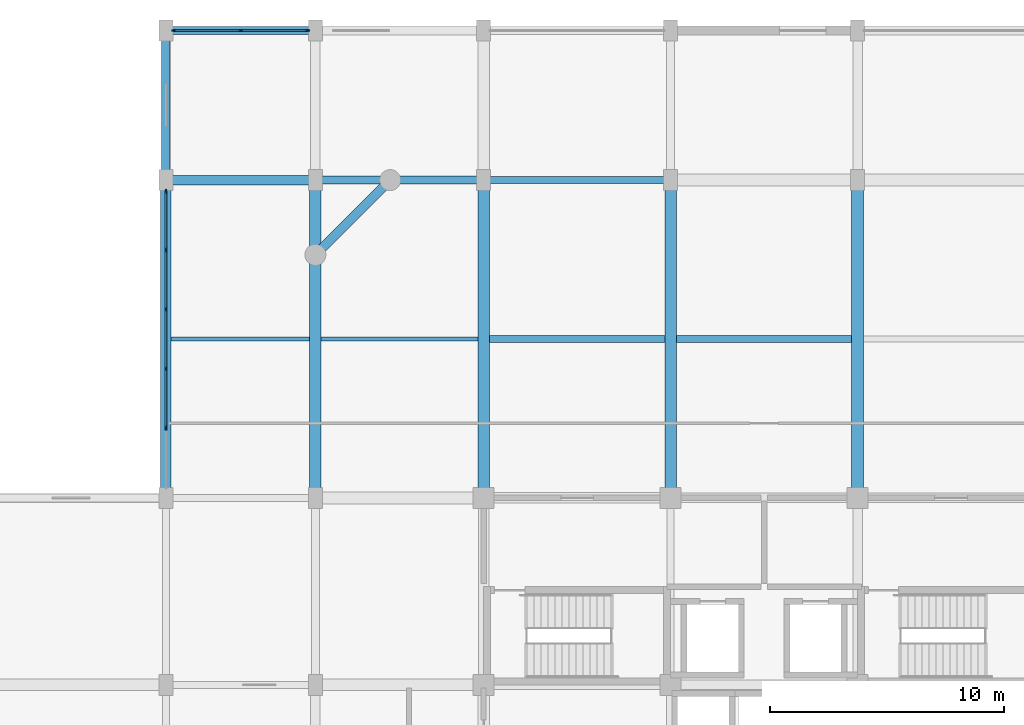
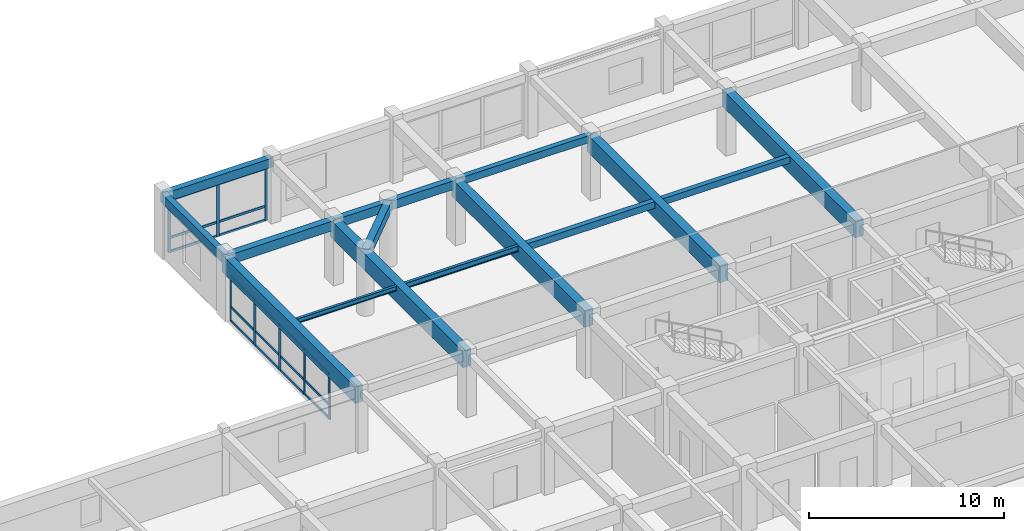
# One storey, part 14 of 35: 26 members, 15 beams, 2 elements without a shape of their own.
"""IFC4 building model written with IfcOpenShell, lengths in metres."""

import ifcopenshell
import ifcopenshell.guid

model = None  # the IFC model being written
_history = None  # IfcOwnerHistory: only IFC2X3 demands one
_inside = {}  # id of a spatial element -> (the spatial element, [elements in it])
_under = {}  # id of a project, library or spatial element -> (it, [spatial elements below it])
_declared = {}  # id of a project -> (the project, [libraries it declares])
_typed = {}  # id of a type object -> (the type object, [elements of that type])
_made_of = {}  # id of a material, layer set ... -> (it, [elements and type objects made of it])


def new_model(schema):
    """Start an empty IFC model of exactly this schema.

    Asked for "IFC4X3", IfcOpenShell would pick the latest addendum, in which some entities
    have other attributes; the version numbers below select the first issue.
    IFC2X3 requires an IfcOwnerHistory on every rooted entity: one is made here for all.
    """
    global model, _history
    if schema == "IFC4X3":
        model = ifcopenshell.file(schema_version=(4, 3, 0, 0))
    else:
        model = ifcopenshell.file(schema=schema)
    _inside.clear()
    _under.clear()
    _declared.clear()
    _typed.clear()
    _made_of.clear()
    _history = None
    if model.schema == "IFC2X3":
        org = make("IfcOrganization", Name="unknown")
        user = make(
            "IfcPersonAndOrganization",
            ThePerson=make("IfcPerson", FamilyName="unknown"),
            TheOrganization=org,
        )
        app = make(
            "IfcApplication",
            ApplicationDeveloper=org,
            Version="unknown",
            ApplicationFullName="unknown",
            ApplicationIdentifier="unknown",
        )
        _history = make(
            "IfcOwnerHistory",
            OwningUser=user,
            OwningApplication=app,
            ChangeAction="ADDED",
            CreationDate=0,
        )
    return model


def make(cls, **values):
    """One entity of the class cls with the attributes given. An attribute that is None is left unset."""
    return model.create_entity(
        cls, **{name: value for name, value in values.items() if value is not None}
    )


def rooted(cls, **values):
    """An entity with a GlobalId (a new one), such as an element, a storey or a relation."""
    return make(cls, GlobalId=ifcopenshell.guid.new(), OwnerHistory=_history, **values)


def si_unit(unit_type, name, prefix=None):
    """IfcSIUnit, for example si_unit("LENGTHUNIT", "METRE", prefix="MILLI")."""
    return make("IfcSIUnit", UnitType=unit_type, Prefix=prefix, Name=name)


def assignment(units):
    """IfcUnitAssignment: the units of a project."""
    return None if units is None else make("IfcUnitAssignment", Units=units)


def point(xyz):
    """IfcCartesianPoint."""
    return None if xyz is None else make("IfcCartesianPoint", Coordinates=xyz)


def direction(xyz):
    """IfcDirection."""
    return None if xyz is None else make("IfcDirection", DirectionRatios=xyz)


def frame(location, z_axis=None, x_axis=None):
    """IfcAxis2Placement3D, a coordinate frame: its origin and axes. An axis left out is left unset."""
    return make(
        "IfcAxis2Placement3D",
        Location=point(location),
        Axis=direction(z_axis),
        RefDirection=direction(x_axis),
    )


def frame_2d(location, x_axis=None):
    """IfcAxis2Placement2D, a coordinate frame in the plane: its origin and x axis."""
    return make(
        "IfcAxis2Placement2D", Location=point(location), RefDirection=direction(x_axis)
    )


def origin():
    """The frame at (0, 0, 0) with its axes left unset."""
    return frame((0.0, 0.0, 0.0))


def origin_2d():
    """The frame at (0, 0) in the plane with its x axis left unset."""
    return frame_2d((0.0, 0.0))


def place(relative_to, where):
    """IfcLocalPlacement: puts the frame where relative to a parent placement (None: the world)."""
    return make(
        "IfcLocalPlacement", PlacementRelTo=relative_to, RelativePlacement=where
    )


def context(
    kind, dimensions, precision=None, world=None, true_north=None, identifier=None
):
    """IfcGeometricRepresentationContext, for example the 3D "Model" context."""
    return make(
        "IfcGeometricRepresentationContext",
        ContextIdentifier=identifier,
        ContextType=kind,
        CoordinateSpaceDimension=dimensions,
        Precision=precision,
        WorldCoordinateSystem=world,
        TrueNorth=true_north,
    )


def subcontext(parent, identifier, kind, view, scale=None):
    """IfcGeometricRepresentationSubContext, for example "Body" below "Model"."""
    return make(
        "IfcGeometricRepresentationSubContext",
        ContextIdentifier=identifier,
        ContextType=kind,
        ParentContext=parent,
        TargetScale=scale,
        TargetView=view,
    )


def project(units=None, contexts=None):
    """IfcProject with its units and contexts."""
    return rooted(
        "IfcProject",
        Name="project",
        RepresentationContexts=contexts,
        UnitsInContext=assignment(units),
    )


def spatial(cls, under=None, at=None, **own):
    """A site, building, storey or space (cls), placed at a placement, below another one or the project."""
    s = rooted(cls, ObjectPlacement=at, **own)
    if under is not None:
        _under.setdefault(under.id(), (under, []))[1].append(s)
    return s


def profile(cls, at=None, kind="AREA", **sizes):
    """A parametric profile (cls). Its sizes go by their IFC names, for example OverallWidth=200.0."""
    return make(cls, ProfileType=kind, Position=at, **sizes)


def rectangle(**sizes):
    """IfcRectangleProfileDef."""
    return profile("IfcRectangleProfileDef", **sizes)


def i_section(**sizes):
    """IfcIShapeProfileDef."""
    return profile("IfcIShapeProfileDef", **sizes)


def extrude(swept, where, along, depth):
    """IfcExtrudedAreaSolid: the profile swept, set in the frame where, extruded along a direction by depth."""
    return make(
        "IfcExtrudedAreaSolid",
        SweptArea=swept,
        Position=where,
        ExtrudedDirection=direction(along),
        Depth=depth,
    )


def shape(context_of_items, identifier, shape_type, items):
    """IfcShapeRepresentation: the items that make up one representation, for example the "Body"."""
    return make(
        "IfcShapeRepresentation",
        ContextOfItems=context_of_items,
        RepresentationIdentifier=identifier,
        RepresentationType=shape_type,
        Items=items,
    )


def material(Name=None, Category=None):
    """IfcMaterial."""
    return make("IfcMaterial", Name=Name, Category=Category)


def material_profile(
    of_material, cross_section, Name=None, Category=None, Priority=None
):
    """IfcMaterialProfile: a cross section and its material."""
    return make(
        "IfcMaterialProfile",
        Name=Name,
        Material=of_material,
        Profile=cross_section,
        Priority=Priority,
        Category=Category,
    )


def profile_set(profiles, Name=None, composite=None):
    """IfcMaterialProfileSet."""
    return make(
        "IfcMaterialProfileSet",
        Name=Name,
        MaterialProfiles=profiles,
        CompositeProfile=composite,
    )


def made_of(thing, what):
    """Note that an element or type object is made of a material, layer set ...; save() writes the relation."""
    if what is not None:
        _made_of.setdefault(what.id(), (what, []))[1].append(thing)
    return thing


def type_object(cls, material=None, **own):
    """A type object (cls), such as IfcWallType, which elements share."""
    return made_of(rooted(cls, **own), material)


def element(
    cls,
    number,
    at=None,
    inside=None,
    cuts=None,
    type_object=None,
    material=None,
    context=None,
    identifier="Body",
    shape_type=None,
    held_by="IfcProductDefinitionShape",
    body=None,
    shapes=None,
    **own,
):
    """One element of the class cls, such as IfcWall. Its Tag is "e" and its number.

    at: its placement. inside: the storey or other place that contains it. cuts: it is an
    opening in that element (IfcRelVoidsElement). A single representation is given by context,
    identifier, shape_type and body (its items); several are given by shapes. held_by: the class
    of the entity that holds the representations. save() writes the other relations.
    """
    e = rooted(cls, Tag="e%d" % number, ObjectPlacement=at, **own)
    if body is not None:
        shapes = [shape(context, identifier, shape_type, body)]
    if shapes is not None:
        e.Representation = make(held_by, Representations=shapes)
    if inside is not None:
        _inside.setdefault(inside.id(), (inside, []))[1].append(e)
    if cuts is not None:
        rooted(
            "IfcRelVoidsElement", RelatingBuildingElement=cuts, RelatedOpeningElement=e
        )
    if type_object is not None:
        _typed.setdefault(type_object.id(), (type_object, []))[1].append(e)
    return made_of(e, material)


def aggregate(whole, parts):
    """IfcRelAggregates: a whole, such as a stair, and the parts it consists of."""
    return rooted("IfcRelAggregates", RelatingObject=whole, RelatedObjects=parts)


def save(model, path):
    """Write the relations noted so far, then the file.

    IfcRelAggregates (storeys below a building ...), IfcRelContainedInSpatialStructure (elements
    in a storey), IfcRelDefinesByType, IfcRelAssociatesMaterial and IfcRelDeclares: one each for
    every whole, place, type object, material and project.
    """
    for whole, parts in _under.values():
        aggregate(whole, parts)
    for where, things in _inside.values():
        rooted(
            "IfcRelContainedInSpatialStructure",
            RelatedElements=things,
            RelatingStructure=where,
        )
    for kind, things in _typed.values():
        rooted("IfcRelDefinesByType", RelatedObjects=things, RelatingType=kind)
    for what, things in _made_of.values():
        rooted("IfcRelAssociatesMaterial", RelatedObjects=things, RelatingMaterial=what)
    for by, libraries in _declared.values():
        rooted("IfcRelDeclares", RelatingContext=by, RelatedDefinitions=libraries)
    model.write(path)


model = new_model("IFC4")

# Units and contexts
model_context = context("Model", 3, precision=1e-05, world=origin(), true_north=direction((0.0, 1.0)))
body_context = subcontext(model_context, "Body", "Model", "MODEL_VIEW")
ifc_project = project(units=[si_unit("LENGTHUNIT", "METRE"), si_unit("AREAUNIT", "SQUARE_METRE"), si_unit("VOLUMEUNIT", "CUBIC_METRE"), si_unit("PLANEANGLEUNIT", "RADIAN"), si_unit("MASSUNIT", "GRAM", prefix="KILO")], contexts=[model_context])

# Site, building, storey
site_placement = place(None, origin())
site = spatial("IfcSite", under=ifc_project, at=site_placement, CompositionType="ELEMENT")
building_placement = place(site_placement, origin())
building = spatial("IfcBuilding", under=site, at=building_placement, Name="Vellmiral Cinema and Media Centre", CompositionType="ELEMENT")
storey_placement = place(building_placement, frame((0.0, 0.0, 15.60009765625)))
storey = spatial("IfcBuildingStorey", under=building, at=storey_placement, Name="L03", CompositionType="ELEMENT", Elevation=15.60009765625)

# Beams
ifc_material_1 = material(Name="Concrete C40/50", Category="concrete")
ifc_material_profile_1 = material_profile(ifc_material_1, rectangle(XDim=0.300048828125, YDim=0.449951171875, at=origin_2d()), Name="RC 300x450")
ifc_profile_set_1 = profile_set([ifc_material_profile_1], Name="Concrete C40/50")
beam_type_1 = type_object("IfcBeamType", Name="BM-RC-300x450", PredefinedType="BEAM", material=ifc_profile_set_1)
beam_1_placement = place(storey_placement, frame((124.0, 108.800048828125, 3.669921875), z_axis=(1.0, 0.0, 0.0), x_axis=(0.0, 1.0, 0.0)))
element("IfcBeam", 1, at=beam_1_placement, inside=storey, type_object=beam_type_1, Name="Grid Beam L03-X068", PredefinedType="BEAM", context=body_context, shape_type="SweptSolid", body=[
    extrude(rectangle(XDim=0.300048828125, YDim=0.449951171875, at=origin_2d()), origin(), (0.0, 0.0, 1.0), 8.0),
])
ifc_material_2 = material(Name="Concrete C40/50", Category="concrete")
ifc_material_profile_2 = material_profile(ifc_material_2, rectangle(XDim=0.35009765625, YDim=0.550048828125, at=origin_2d()), Name="RC 350x550")
ifc_profile_set_2 = profile_set([ifc_material_profile_2], Name="Concrete C40/50")
beam_type_2 = type_object("IfcBeamType", Name="BM-RC-350x550", PredefinedType="BEAM", material=ifc_profile_set_2)
beam_2_placement = place(storey_placement, frame((116.800048828125, 108.800048828125, 3.619873046875), z_axis=(1.0, 0.0, 0.0), x_axis=(0.0, 1.0, 0.0)))
element("IfcBeam", 2, at=beam_2_placement, inside=storey, type_object=beam_type_2, Name="Grid Beam L03-X067", PredefinedType="BEAM", context=body_context, shape_type="SweptSolid", body=[
    extrude(rectangle(XDim=0.35009765625, YDim=0.550048828125, at=origin_2d()), origin(), (0.0, 0.0, 1.0), 7.199951171875),
])
ifc_material_3 = material(Name="Concrete C40/50", Category="concrete")
ifc_material_profile_3 = material_profile(ifc_material_3, rectangle(XDim=0.39990234375, YDim=0.60009765625, at=origin_2d()), Name="RC 400x600")
ifc_profile_set_3 = profile_set([ifc_material_profile_3], Name="Concrete C40/50")
beam_type_3 = type_object("IfcBeamType", Name="BM-RC-400x600", PredefinedType="BEAM", material=ifc_profile_set_3)
beam_3_placement = place(storey_placement, frame((110.39990234375, 108.800048828125, 3.594970703125), z_axis=(1.0, 0.0, 0.0), x_axis=(0.0, 1.0, 0.0)))
element("IfcBeam", 3, at=beam_3_placement, inside=storey, type_object=beam_type_3, Name="Grid Beam L03-X066", PredefinedType="BEAM", context=body_context, shape_type="SweptSolid", body=[
    extrude(rectangle(XDim=0.39990234375, YDim=0.60009765625, at=origin_2d()), origin(), (0.0, 0.0, 1.0), 6.400146484375),
])
ifc_material_4 = material(Name="Concrete C40/50", Category="concrete")
ifc_material_profile_4 = material_profile(ifc_material_4, rectangle(XDim=0.5, YDim=1.050048828125, at=origin_2d()), Name="RC 500x1050")
ifc_profile_set_4 = profile_set([ifc_material_profile_4], Name="Concrete C40/50")
beam_type_4 = type_object("IfcBeamType", Name="BM-RCG-500x1050", PredefinedType="BEAM", material=ifc_profile_set_4)
for number, where, z_axis, x_axis, name in (
    (4, (116.800048828125, 95.199951171875, 3.369873046875), (0.0, 1.0, 0.0), (-1.0, 0.0, 0.0), "Grid Beam L03-Y109"),
    (5, (124.0, 95.199951171875, 3.369873046875), (0.0, 1.0, 0.0), (-1.0, 0.0, 0.0), "Grid Beam L03-Y116"),
    (6, (132.0, 95.199951171875, 3.369873046875), (0.0, 1.0, 0.0), (-1.0, 0.0, 0.0), "Grid Beam L03-Y123"),
    (7, (140.0, 95.199951171875, 3.369873046875), (0.0, 1.0, 0.0), (-1.0, 0.0, 0.0), "Grid Beam L03-Y130"),
):
    element("IfcBeam", number, at=place(storey_placement, frame(where, z_axis=z_axis, x_axis=x_axis)), inside=storey, type_object=beam_type_4, Name=name, PredefinedType="BEAM", context=body_context, shape_type="SweptSolid", body=[
        extrude(rectangle(XDim=0.5, YDim=1.050048828125, at=origin_2d()), origin(), (0.0, 0.0, 1.0), 13.60009765625),
    ])

# Curtain wall, members
ifc_material_5 = material(Name="Thermally Broken Aluminium and Triple Glazing", Category="aluminium")
curtain_wall_type = type_object("IfcCurtainWallType", Name="CW-LIB-BAY", PredefinedType="USERDEFINED", material=ifc_material_5)
curtain_wall_1_placement = place(storey_placement, origin())
curtain_wall_1 = element("IfcCurtainWall", 8, at=curtain_wall_1_placement, inside=storey, type_object=curtain_wall_type, Name="Curtain Wall L03-B034", ObjectType="STICK CURTAIN WALL", PredefinedType="USERDEFINED")
ifc_material_6 = material(Name="Thermally Broken Anodised Aluminium", Category="aluminium")
ifc_material_profile_5 = material_profile(ifc_material_6, rectangle(XDim=0.070068359375, YDim=0.179931640625, at=origin_2d()), Name="MULL 70x180")
ifc_profile_set_5 = profile_set([ifc_material_profile_5], Name="Thermally Broken Anodised Aluminium")
member_type_1 = type_object("IfcMemberType", Name="CWM-70x180", PredefinedType="MULLION", material=ifc_profile_set_5)
member_1_placement = place(storey_placement, frame((116.465087890625, 115.199951171875, 0.0), z_axis=(0.0, 0.0, 1.0), x_axis=(0.0, -1.0, 0.0)))
member_1 = element("IfcMember", 9, at=member_1_placement, type_object=member_type_1, Name="CW-03 mullion 1", PredefinedType="MULLION", context=body_context, shape_type="SweptSolid", body=[
    extrude(rectangle(XDim=0.070068359375, YDim=0.179931640625, at=origin_2d()), origin(), (0.0, 0.0, 1.0), 3.2998046875),
])
member_2_placement = place(storey_placement, frame((113.60009765625, 115.199951171875, 0.0), z_axis=(0.0, 0.0, 1.0), x_axis=(0.0, -1.0, 0.0)))
member_2 = element("IfcMember", 10, at=member_2_placement, type_object=member_type_1, Name="CW-03 mullion 2", PredefinedType="MULLION", context=body_context, shape_type="SweptSolid", body=[
    extrude(rectangle(XDim=0.070068359375, YDim=0.179931640625, at=origin_2d()), origin(), (0.0, 0.0, 1.0), 3.2998046875),
])
member_3_placement = place(storey_placement, frame((110.735107421875, 115.199951171875, 0.0), z_axis=(0.0, 0.0, 1.0), x_axis=(0.0, -1.0, 0.0)))
member_3 = element("IfcMember", 11, at=member_3_placement, type_object=member_type_1, Name="CW-03 mullion 3", PredefinedType="MULLION", context=body_context, shape_type="SweptSolid", body=[
    extrude(rectangle(XDim=0.070068359375, YDim=0.179931640625, at=origin_2d()), origin(), (0.0, 0.0, 1.0), 3.2998046875),
])

curtain_wall_2_placement = place(storey_placement, origin())
curtain_wall_2 = element("IfcCurtainWall", 12, at=curtain_wall_2_placement, inside=storey, type_object=curtain_wall_type, Name="Curtain Wall L03-B036", ObjectType="STICK CURTAIN WALL", PredefinedType="USERDEFINED")
member_4_placement = place(storey_placement, frame((110.39990234375, 108.31494140625, 0.0), z_axis=(0.0, 0.0, 1.0), x_axis=(1.0, 0.0, 0.0)))
member_4 = element("IfcMember", 13, at=member_4_placement, type_object=member_type_1, Name="CW-03 mullion 1", PredefinedType="MULLION", context=body_context, shape_type="SweptSolid", body=[
    extrude(rectangle(XDim=0.070068359375, YDim=0.179931640625, at=origin_2d()), origin(), (0.0, 0.0, 1.0), 2.8349609375),
])
member_5_placement = place(storey_placement, frame((110.39990234375, 105.81005859375, 0.0), z_axis=(0.0, 0.0, 1.0), x_axis=(1.0, 0.0, 0.0)))
member_5 = element("IfcMember", 14, at=member_5_placement, type_object=member_type_1, Name="CW-03 mullion 2", PredefinedType="MULLION", context=body_context, shape_type="SweptSolid", body=[
    extrude(rectangle(XDim=0.070068359375, YDim=0.179931640625, at=origin_2d()), origin(), (0.0, 0.0, 1.0), 2.8349609375),
])
member_6_placement = place(storey_placement, frame((110.39990234375, 103.27001953125, 0.0), z_axis=(0.0, 0.0, 1.0), x_axis=(1.0, 0.0, 0.0)))
member_6 = element("IfcMember", 15, at=member_6_placement, type_object=member_type_1, Name="CW-03 mullion 3", PredefinedType="MULLION", context=body_context, shape_type="SweptSolid", body=[
    extrude(rectangle(XDim=0.070068359375, YDim=0.179931640625, at=origin_2d()), origin(), (0.0, 0.0, 1.0), 2.8349609375),
])
member_7_placement = place(storey_placement, frame((110.39990234375, 100.72998046875, 0.0), z_axis=(0.0, 0.0, 1.0), x_axis=(1.0, 0.0, 0.0)))
member_7 = element("IfcMember", 16, at=member_7_placement, type_object=member_type_1, Name="CW-03 mullion 4", PredefinedType="MULLION", context=body_context, shape_type="SweptSolid", body=[
    extrude(rectangle(XDim=0.070068359375, YDim=0.179931640625, at=origin_2d()), origin(), (0.0, 0.0, 1.0), 2.8349609375),
])
member_8_placement = place(storey_placement, frame((110.39990234375, 98.18994140625, 0.0), z_axis=(0.0, 0.0, 1.0), x_axis=(1.0, 0.0, 0.0)))
member_8 = element("IfcMember", 17, at=member_8_placement, type_object=member_type_1, Name="CW-03 mullion 5", PredefinedType="MULLION", context=body_context, shape_type="SweptSolid", body=[
    extrude(rectangle(XDim=0.070068359375, YDim=0.179931640625, at=origin_2d()), origin(), (0.0, 0.0, 1.0), 2.8349609375),
])

# Member
ifc_material_7 = material(Name="Thermally Broken Anodised Aluminium", Category="aluminium")
ifc_material_profile_6 = material_profile(ifc_material_7, rectangle(XDim=0.070068359375, YDim=0.14990234375, at=origin_2d()), Name="MULL 70x150")
ifc_profile_set_6 = profile_set([ifc_material_profile_6], Name="Thermally Broken Anodised Aluminium")
member_type_2 = type_object("IfcMemberType", Name="CWT-70x150", PredefinedType="USERDEFINED", material=ifc_profile_set_6)
member_9_placement = place(storey_placement, frame((116.429931640625, 115.199951171875, 0.034912109375), z_axis=(-1.0, 0.0, 0.0), x_axis=(0.0, -1.0, 0.0)))
member_9 = element("IfcMember", 18, at=member_9_placement, type_object=member_type_2, Name="CW-03 transom 1.1", ObjectType="TRANSOM", PredefinedType="USERDEFINED", context=body_context, shape_type="SweptSolid", body=[
    extrude(rectangle(XDim=0.070068359375, YDim=0.14990234375, at=origin_2d()), origin(), (0.0, 0.0, 1.0), 2.794921875),
])

member_10_placement = place(storey_placement, frame((116.429931640625, 115.199951171875, 0.89990234375), z_axis=(-1.0, 0.0, 0.0), x_axis=(0.0, -1.0, 0.0)))
member_10 = element("IfcMember", 19, at=member_10_placement, type_object=member_type_2, Name="CW-03 transom 1.2", ObjectType="TRANSOM", PredefinedType="USERDEFINED", context=body_context, shape_type="SweptSolid", body=[
    extrude(rectangle(XDim=0.070068359375, YDim=0.14990234375, at=origin_2d()), origin(), (0.0, 0.0, 1.0), 2.794921875),
])

member_11_placement = place(storey_placement, frame((116.429931640625, 115.199951171875, 3.264892578125), z_axis=(-1.0, 0.0, 0.0), x_axis=(0.0, -1.0, 0.0)))
member_11 = element("IfcMember", 20, at=member_11_placement, type_object=member_type_2, Name="CW-03 transom 1.3", ObjectType="TRANSOM", PredefinedType="USERDEFINED", context=body_context, shape_type="SweptSolid", body=[
    extrude(rectangle(XDim=0.070068359375, YDim=0.14990234375, at=origin_2d()), origin(), (0.0, 0.0, 1.0), 2.794921875),
])

member_12_placement = place(storey_placement, frame((113.56494140625, 115.199951171875, 0.034912109375), z_axis=(-1.0, 0.0, 0.0), x_axis=(0.0, -1.0, 0.0)))
member_12 = element("IfcMember", 21, at=member_12_placement, type_object=member_type_2, Name="CW-03 transom 2.1", ObjectType="TRANSOM", PredefinedType="USERDEFINED", context=body_context, shape_type="SweptSolid", body=[
    extrude(rectangle(XDim=0.070068359375, YDim=0.14990234375, at=origin_2d()), origin(), (0.0, 0.0, 1.0), 2.794921875),
])

member_13_placement = place(storey_placement, frame((113.56494140625, 115.199951171875, 0.89990234375), z_axis=(-1.0, 0.0, 0.0), x_axis=(0.0, -1.0, 0.0)))
member_13 = element("IfcMember", 22, at=member_13_placement, type_object=member_type_2, Name="CW-03 transom 2.2", ObjectType="TRANSOM", PredefinedType="USERDEFINED", context=body_context, shape_type="SweptSolid", body=[
    extrude(rectangle(XDim=0.070068359375, YDim=0.14990234375, at=origin_2d()), origin(), (0.0, 0.0, 1.0), 2.794921875),
])

member_14_placement = place(storey_placement, frame((113.56494140625, 115.199951171875, 3.264892578125), z_axis=(-1.0, 0.0, 0.0), x_axis=(0.0, -1.0, 0.0)))
member_14 = element("IfcMember", 23, at=member_14_placement, type_object=member_type_2, Name="CW-03 transom 2.3", ObjectType="TRANSOM", PredefinedType="USERDEFINED", context=body_context, shape_type="SweptSolid", body=[
    extrude(rectangle(XDim=0.070068359375, YDim=0.14990234375, at=origin_2d()), origin(), (0.0, 0.0, 1.0), 2.794921875),
])

aggregate(curtain_wall_1, [member_1, member_2, member_3, member_9, member_10, member_11, member_12, member_13, member_14])

member_15_placement = place(storey_placement, frame((110.39990234375, 108.280029296875, 0.034912109375), z_axis=(0.0, -1.0, 0.0), x_axis=(1.0, 0.0, 0.0)))
member_15 = element("IfcMember", 24, at=member_15_placement, type_object=member_type_2, Name="CW-03 transom 1.1", ObjectType="TRANSOM", PredefinedType="USERDEFINED", context=body_context, shape_type="SweptSolid", body=[
    extrude(rectangle(XDim=0.070068359375, YDim=0.14990234375, at=origin_2d()), origin(), (0.0, 0.0, 1.0), 2.43505859375),
])

member_16_placement = place(storey_placement, frame((110.39990234375, 108.280029296875, 0.89990234375), z_axis=(0.0, -1.0, 0.0), x_axis=(1.0, 0.0, 0.0)))
member_16 = element("IfcMember", 25, at=member_16_placement, type_object=member_type_2, Name="CW-03 transom 1.2", ObjectType="TRANSOM", PredefinedType="USERDEFINED", context=body_context, shape_type="SweptSolid", body=[
    extrude(rectangle(XDim=0.070068359375, YDim=0.14990234375, at=origin_2d()), origin(), (0.0, 0.0, 1.0), 2.43505859375),
])

member_17_placement = place(storey_placement, frame((110.39990234375, 108.280029296875, 2.7998046875), z_axis=(0.0, -1.0, 0.0), x_axis=(1.0, 0.0, 0.0)))
member_17 = element("IfcMember", 26, at=member_17_placement, type_object=member_type_2, Name="CW-03 transom 1.3", ObjectType="TRANSOM", PredefinedType="USERDEFINED", context=body_context, shape_type="SweptSolid", body=[
    extrude(rectangle(XDim=0.070068359375, YDim=0.14990234375, at=origin_2d()), origin(), (0.0, 0.0, 1.0), 2.43505859375),
])

member_18_placement = place(storey_placement, frame((110.39990234375, 105.77490234375, 0.034912109375), z_axis=(0.0, -1.0, 0.0), x_axis=(1.0, 0.0, 0.0)))
member_18 = element("IfcMember", 27, at=member_18_placement, type_object=member_type_2, Name="CW-03 transom 2.1", ObjectType="TRANSOM", PredefinedType="USERDEFINED", context=body_context, shape_type="SweptSolid", body=[
    extrude(rectangle(XDim=0.070068359375, YDim=0.14990234375, at=origin_2d()), origin(), (0.0, 0.0, 1.0), 2.469970703125),
])

member_19_placement = place(storey_placement, frame((110.39990234375, 105.77490234375, 0.89990234375), z_axis=(0.0, -1.0, 0.0), x_axis=(1.0, 0.0, 0.0)))
member_19 = element("IfcMember", 28, at=member_19_placement, type_object=member_type_2, Name="CW-03 transom 2.2", ObjectType="TRANSOM", PredefinedType="USERDEFINED", context=body_context, shape_type="SweptSolid", body=[
    extrude(rectangle(XDim=0.070068359375, YDim=0.14990234375, at=origin_2d()), origin(), (0.0, 0.0, 1.0), 2.469970703125),
])

member_20_placement = place(storey_placement, frame((110.39990234375, 105.77490234375, 2.7998046875), z_axis=(0.0, -1.0, 0.0), x_axis=(1.0, 0.0, 0.0)))
member_20 = element("IfcMember", 29, at=member_20_placement, type_object=member_type_2, Name="CW-03 transom 2.3", ObjectType="TRANSOM", PredefinedType="USERDEFINED", context=body_context, shape_type="SweptSolid", body=[
    extrude(rectangle(XDim=0.070068359375, YDim=0.14990234375, at=origin_2d()), origin(), (0.0, 0.0, 1.0), 2.469970703125),
])

member_21_placement = place(storey_placement, frame((110.39990234375, 103.235107421875, 0.034912109375), z_axis=(0.0, -1.0, 0.0), x_axis=(1.0, 0.0, 0.0)))
member_21 = element("IfcMember", 30, at=member_21_placement, type_object=member_type_2, Name="CW-03 transom 3.1", ObjectType="TRANSOM", PredefinedType="USERDEFINED", context=body_context, shape_type="SweptSolid", body=[
    extrude(rectangle(XDim=0.070068359375, YDim=0.14990234375, at=origin_2d()), origin(), (0.0, 0.0, 1.0), 2.47021484375),
])

member_22_placement = place(storey_placement, frame((110.39990234375, 103.235107421875, 0.89990234375), z_axis=(0.0, -1.0, 0.0), x_axis=(1.0, 0.0, 0.0)))
member_22 = element("IfcMember", 31, at=member_22_placement, type_object=member_type_2, Name="CW-03 transom 3.2", ObjectType="TRANSOM", PredefinedType="USERDEFINED", context=body_context, shape_type="SweptSolid", body=[
    extrude(rectangle(XDim=0.070068359375, YDim=0.14990234375, at=origin_2d()), origin(), (0.0, 0.0, 1.0), 2.47021484375),
])

member_23_placement = place(storey_placement, frame((110.39990234375, 103.235107421875, 2.7998046875), z_axis=(0.0, -1.0, 0.0), x_axis=(1.0, 0.0, 0.0)))
member_23 = element("IfcMember", 32, at=member_23_placement, type_object=member_type_2, Name="CW-03 transom 3.3", ObjectType="TRANSOM", PredefinedType="USERDEFINED", context=body_context, shape_type="SweptSolid", body=[
    extrude(rectangle(XDim=0.070068359375, YDim=0.14990234375, at=origin_2d()), origin(), (0.0, 0.0, 1.0), 2.47021484375),
])

member_24_placement = place(storey_placement, frame((110.39990234375, 100.695068359375, 0.034912109375), z_axis=(0.0, -1.0, 0.0), x_axis=(1.0, 0.0, 0.0)))
member_24 = element("IfcMember", 33, at=member_24_placement, type_object=member_type_2, Name="CW-03 transom 4.1", ObjectType="TRANSOM", PredefinedType="USERDEFINED", context=body_context, shape_type="SweptSolid", body=[
    extrude(rectangle(XDim=0.070068359375, YDim=0.14990234375, at=origin_2d()), origin(), (0.0, 0.0, 1.0), 2.469970703125),
])

member_25_placement = place(storey_placement, frame((110.39990234375, 100.695068359375, 0.89990234375), z_axis=(0.0, -1.0, 0.0), x_axis=(1.0, 0.0, 0.0)))
member_25 = element("IfcMember", 34, at=member_25_placement, type_object=member_type_2, Name="CW-03 transom 4.2", ObjectType="TRANSOM", PredefinedType="USERDEFINED", context=body_context, shape_type="SweptSolid", body=[
    extrude(rectangle(XDim=0.070068359375, YDim=0.14990234375, at=origin_2d()), origin(), (0.0, 0.0, 1.0), 2.469970703125),
])

member_26_placement = place(storey_placement, frame((110.39990234375, 100.695068359375, 2.7998046875), z_axis=(0.0, -1.0, 0.0), x_axis=(1.0, 0.0, 0.0)))
member_26 = element("IfcMember", 35, at=member_26_placement, type_object=member_type_2, Name="CW-03 transom 4.3", ObjectType="TRANSOM", PredefinedType="USERDEFINED", context=body_context, shape_type="SweptSolid", body=[
    extrude(rectangle(XDim=0.070068359375, YDim=0.14990234375, at=origin_2d()), origin(), (0.0, 0.0, 1.0), 2.469970703125),
])

aggregate(curtain_wall_2, [member_4, member_5, member_6, member_7, member_8, member_15, member_16, member_17, member_18, member_19, member_20, member_21, member_22, member_23, member_24, member_25, member_26])

# Beams
ifc_material_8 = material(Name="Concrete C40/50", Category="concrete")
ifc_material_profile_7 = material_profile(ifc_material_8, rectangle(XDim=0.280029296875, YDim=0.39990234375, at=origin_2d()), Name="RC 280x400")
ifc_profile_set_7 = profile_set([ifc_material_profile_7], Name="Concrete C40/50")
beam_type_5 = type_object("IfcBeamType", Name="JST-RC-280x400", PredefinedType="JOIST", material=ifc_profile_set_7)
beam_4_placement = place(storey_placement, frame((132.25, 102.0, 3.69482421875), z_axis=(1.0, 0.0, 0.0), x_axis=(0.0, 1.0, 0.0)))
element("IfcBeam", 36, at=beam_4_placement, inside=storey, type_object=beam_type_5, Name="Secondary Floor Joist L03-010", PredefinedType="JOIST", context=body_context, shape_type="SweptSolid", body=[
    extrude(rectangle(XDim=0.280029296875, YDim=0.39990234375, at=origin_2d()), origin(), (0.0, 0.0, 1.0), 7.5),
])
ifc_material_9 = material(Name="Concrete C40/50", Category="concrete")
ifc_material_profile_8 = material_profile(ifc_material_9, rectangle(XDim=0.300048828125, YDim=0.419921875, at=origin_2d()), Name="RC 300x420")
ifc_profile_set_8 = profile_set([ifc_material_profile_8], Name="Concrete C40/50")
beam_type_6 = type_object("IfcBeamType", Name="JST-RC-300x420", PredefinedType="JOIST", material=ifc_profile_set_8)
beam_5_placement = place(storey_placement, frame((124.25, 102.0, 3.684814453125), z_axis=(1.0, 0.0, 0.0), x_axis=(0.0, 1.0, 0.0)))
element("IfcBeam", 37, at=beam_5_placement, inside=storey, type_object=beam_type_6, Name="Secondary Floor Joist L03-009", PredefinedType="JOIST", context=body_context, shape_type="SweptSolid", body=[
    extrude(rectangle(XDim=0.300048828125, YDim=0.419921875, at=origin_2d()), origin(), (0.0, 0.0, 1.0), 7.5),
])
ifc_material_10 = material(Name="Steel S355", Category="steel")
ifc_material_profile_9 = material_profile(ifc_material_10, i_section(OverallWidth=0.14990234375, OverallDepth=0.300048828125, WebThickness=0.007080078125, FlangeThickness=0.0107421875, FilletRadius=0.014892578125, at=origin_2d()), Name="IPE 300")
ifc_profile_set_9 = profile_set([ifc_material_profile_9], Name="Steel S355")
beam_type_7 = type_object("IfcBeamType", Name="SBM-IPE300", PredefinedType="JOIST", material=ifc_profile_set_9)
beam_6_placement = place(storey_placement, frame((110.625, 102.0, 3.744873046875), z_axis=(1.0, 0.0, 0.0), x_axis=(0.0, 1.0, 0.0)))
element("IfcBeam", 38, at=beam_6_placement, inside=storey, type_object=beam_type_7, Name="Secondary Floor Joist L03-007", PredefinedType="JOIST", context=body_context, shape_type="SweptSolid", body=[
    extrude(i_section(OverallWidth=0.14990234375, OverallDepth=0.300048828125, WebThickness=0.007080078125, FlangeThickness=0.0107421875, FilletRadius=0.014892578125, at=origin_2d()), origin(), (0.0, 0.0, 1.0), 5.925048828125),
])
ifc_material_11 = material(Name="Steel S355", Category="steel")
ifc_material_profile_10 = material_profile(ifc_material_11, i_section(OverallWidth=0.169921875, OverallDepth=0.360107421875, WebThickness=0.008056640625, FlangeThickness=0.0126953125, FilletRadius=0.01806640625, at=origin_2d()), Name="IPE 360")
ifc_profile_set_10 = profile_set([ifc_material_profile_10], Name="Steel S355")
beam_type_8 = type_object("IfcBeamType", Name="SBM-IPE360", PredefinedType="JOIST", material=ifc_profile_set_10)
beam_7_placement = place(storey_placement, frame((117.050048828125, 102.0, 3.71484375), z_axis=(1.0, 0.0, 0.0), x_axis=(0.0, 1.0, 0.0)))
element("IfcBeam", 39, at=beam_7_placement, inside=storey, type_object=beam_type_8, Name="Secondary Floor Joist L03-008", PredefinedType="JOIST", context=body_context, shape_type="SweptSolid", body=[
    extrude(i_section(OverallWidth=0.169921875, OverallDepth=0.360107421875, WebThickness=0.008056640625, FlangeThickness=0.0126953125, FilletRadius=0.01806640625, at=origin_2d()), origin(), (0.0, 0.0, 1.0), 6.699951171875),
])
ifc_material_12 = material(Name="Concrete C40/50", Category="concrete")
ifc_material_profile_11 = material_profile(ifc_material_12, rectangle(XDim=0.35009765625, YDim=0.56005859375, at=origin_2d()), Name="RC 350x560")
ifc_profile_set_11 = profile_set([ifc_material_profile_11], Name="Concrete C40/50")
beam_type_9 = type_object("IfcBeamType", Name="SPD-RC-350x560", PredefinedType="SPANDREL", material=ifc_profile_set_11)
beam_8_placement = place(storey_placement, frame((110.39990234375, 115.199951171875, 3.614990234375), z_axis=(1.0, 0.0, 0.0), x_axis=(0.0, 1.0, 0.0)))
element("IfcBeam", 40, at=beam_8_placement, inside=storey, type_object=beam_type_9, Name="Grid Beam L03-X073", PredefinedType="SPANDREL", context=body_context, shape_type="SweptSolid", body=[
    extrude(rectangle(XDim=0.35009765625, YDim=0.56005859375, at=origin_2d()), origin(), (0.0, 0.0, 1.0), 6.400146484375),
])
beam_9_placement = place(storey_placement, frame((110.39990234375, 108.800048828125, 3.614990234375), z_axis=(0.0, 1.0, 0.0), x_axis=(-1.0, 0.0, 0.0)))
element("IfcBeam", 41, at=beam_9_placement, inside=storey, type_object=beam_type_9, Name="Grid Beam L03-Y103", PredefinedType="SPANDREL", context=body_context, shape_type="SweptSolid", body=[
    extrude(rectangle(XDim=0.35009765625, YDim=0.56005859375, at=origin_2d()), origin(), (0.0, 0.0, 1.0), 6.39990234375),
])
ifc_material_13 = material(Name="Concrete C40/50", Category="concrete")
ifc_material_profile_12 = material_profile(ifc_material_13, rectangle(XDim=0.39990234375, YDim=0.60009765625, at=origin_2d()), Name="RC 400x600")
ifc_profile_set_12 = profile_set([ifc_material_profile_12], Name="Concrete C40/50")
beam_type_10 = type_object("IfcBeamType", Name="SPD-RC-400x600", PredefinedType="SPANDREL", material=ifc_profile_set_12)
beam_10_placement = place(storey_placement, frame((116.800048828125, 105.60009765625, 3.594970703125), z_axis=(0.707106781187, 0.707106781187, 0.0), x_axis=(-0.707106781187, 0.707106781187, 0.0)))
element("IfcBeam", 42, at=beam_10_placement, inside=storey, type_object=beam_type_10, Name="Xamfra Chamfer Spandrel Beam L03-152", PredefinedType="SPANDREL", context=body_context, shape_type="SweptSolid", body=[
    extrude(rectangle(XDim=0.39990234375, YDim=0.60009765625, at=origin_2d()), origin(), (0.0, 0.0, 1.0), 4.525390625),
])
ifc_material_14 = material(Name="Concrete C40/50", Category="concrete")
ifc_material_profile_13 = material_profile(ifc_material_14, rectangle(XDim=0.449951171875, YDim=1.050048828125, at=origin_2d()), Name="RC 450x1050")
ifc_profile_set_13 = profile_set([ifc_material_profile_13], Name="Concrete C40/50")
beam_type_11 = type_object("IfcBeamType", Name="SPD-RCG-450x1050", PredefinedType="SPANDREL", material=ifc_profile_set_13)
beam_11_placement = place(storey_placement, frame((110.39990234375, 95.199951171875, 3.369873046875), z_axis=(0.0, 1.0, 0.0), x_axis=(-1.0, 0.0, 0.0)))
element("IfcBeam", 43, at=beam_11_placement, inside=storey, type_object=beam_type_11, Name="Grid Beam L03-Y102", PredefinedType="SPANDREL", context=body_context, shape_type="SweptSolid", body=[
    extrude(rectangle(XDim=0.449951171875, YDim=1.050048828125, at=origin_2d()), origin(), (0.0, 0.0, 1.0), 13.60009765625),
])

save(model, "model.ifc")
